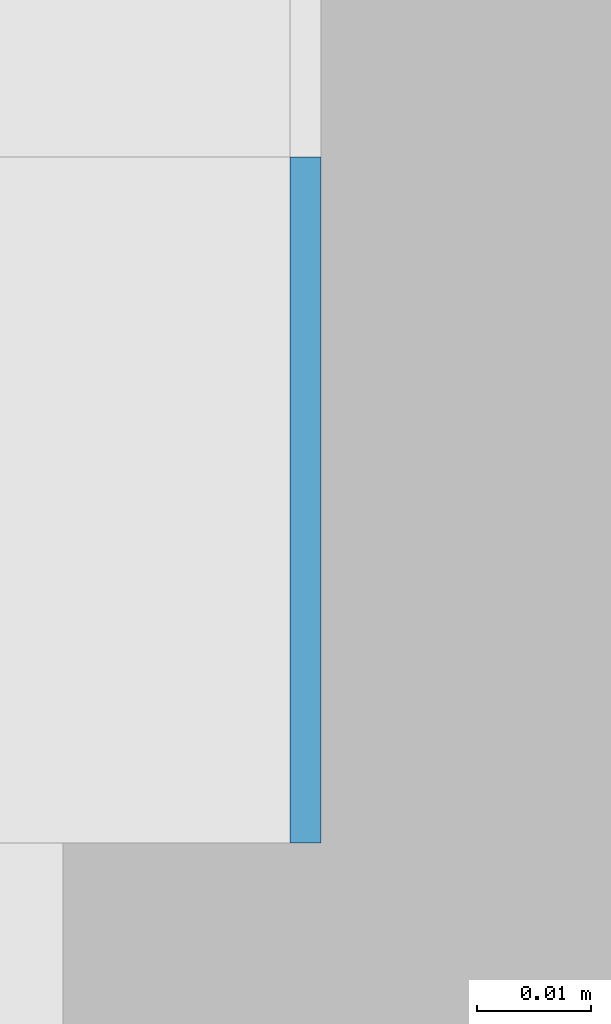
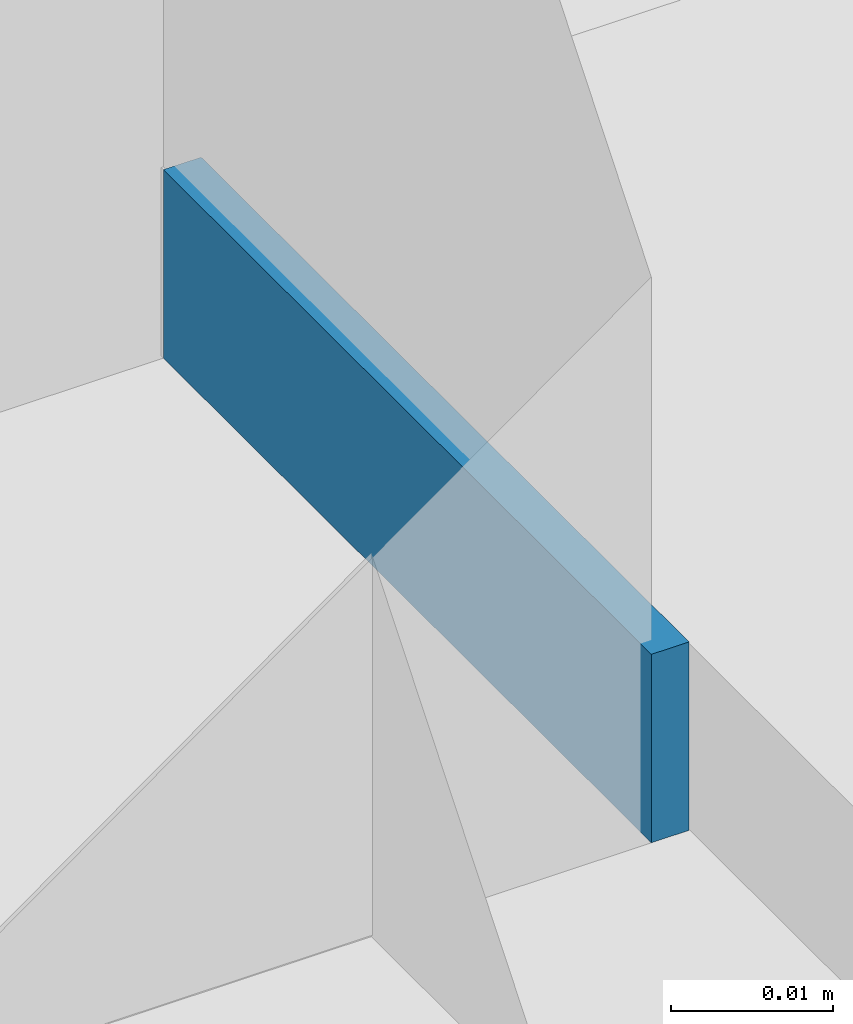
# One storey, part 396 of 646: 1 discrete accessory.
"""IFC4 building model written with IfcOpenShell, lengths in metres."""

from ifc_helpers import new_model, si_unit, direction, frame, origin, origin_2d, place, context, subcontext, project, spatial, rectangle, extrude, material, type_object, element, save


model = new_model("IFC4")

# Units and contexts
model_context = context("Model", 3, precision=1e-05, world=origin(), true_north=direction((0.0, 1.0)))
body_context = subcontext(model_context, "Body", "Model", "MODEL_VIEW")
ifc_project = project(units=[si_unit("LENGTHUNIT", "METRE"), si_unit("AREAUNIT", "SQUARE_METRE"), si_unit("VOLUMEUNIT", "CUBIC_METRE"), si_unit("PLANEANGLEUNIT", "RADIAN"), si_unit("MASSUNIT", "GRAM", prefix="KILO")], contexts=[model_context])

# Site, building, storey
site_placement = place(None, origin())
site = spatial("IfcSite", under=ifc_project, at=site_placement, CompositionType="ELEMENT")
building_placement = place(site_placement, origin())
building = spatial("IfcBuilding", under=site, at=building_placement, Name="Silverbay Arena", CompositionType="ELEMENT")
storey_placement = place(building_placement, frame((0.0, 0.0, 33.5)))
storey = spatial("IfcBuildingStorey", under=building, at=storey_placement, Name="L05", CompositionType="ELEMENT", Elevation=33.5)

# Discrete accessory
ifc_material = material(Name="Steel S355", Category="steel")
discrete_accessory_type = type_object("IfcDiscreteAccessoryType", Name="Steel bracket plate", PredefinedType="BRACKET", material=ifc_material)
discrete_accessory_placement = place(storey_placement, frame((53.871337890625, 116.969970703125, 4.0), z_axis=(0.0, 0.0, 1.0), x_axis=(1.0, 0.0, 0.0)))
element("IfcDiscreteAccessory", 1, at=discrete_accessory_placement, inside=storey, type_object=discrete_accessory_type, Name="Curtain wall packing plate", PredefinedType="BRACKET", context=body_context, shape_type="SweptSolid", body=[
    extrude(rectangle(XDim=0.002685546875, YDim=0.06005859375, at=origin_2d()), origin(), (0.0, 0.0, 1.0), 0.01416015625),
])

save(model, "model.ifc")
